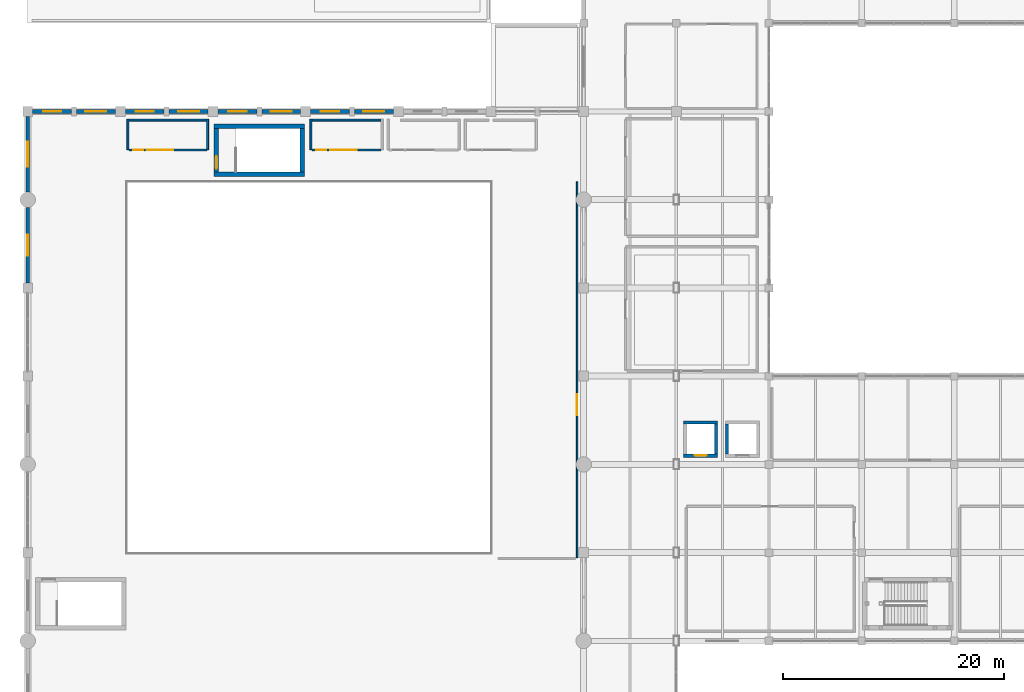
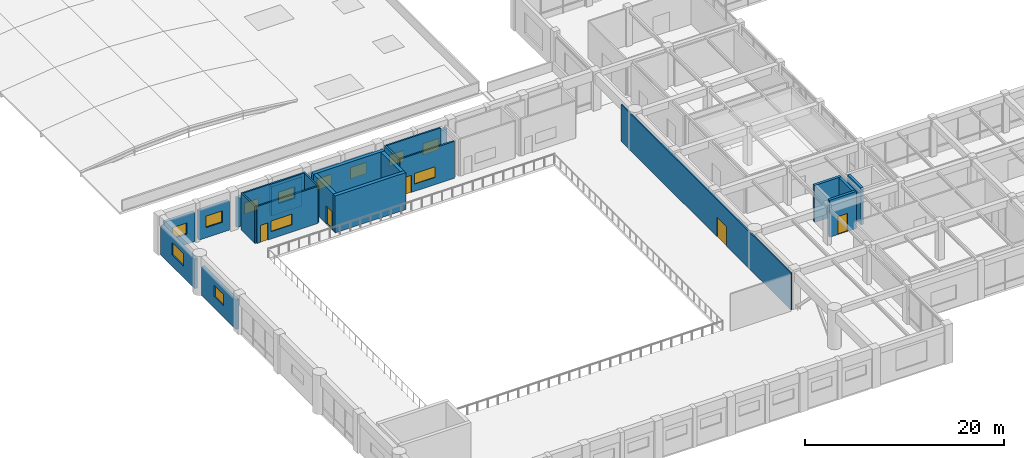
# One storey, part 50 of 76: 26 walls, 12 windows, 5 doors, 17 openings.
"""IFC4 building model written with IfcOpenShell, lengths in metres."""

from ifc_helpers import new_model, si_unit, direction, frame, frame_2d, origin, place, context, subcontext, project, spatial, rectangle, extrude, material, layer, layer_set, type_object, element, fill, save


model = new_model("IFC4")

# Units and contexts
model_context = context("Model", 3, precision=1e-05, world=origin(), true_north=direction((0.0, 1.0)))
body_context = subcontext(model_context, "Body", "Model", "MODEL_VIEW")
ifc_project = project(units=[si_unit("LENGTHUNIT", "METRE"), si_unit("AREAUNIT", "SQUARE_METRE"), si_unit("VOLUMEUNIT", "CUBIC_METRE"), si_unit("PLANEANGLEUNIT", "RADIAN"), si_unit("MASSUNIT", "GRAM", prefix="KILO")], contexts=[model_context])

# Site, building, storey
site_placement = place(None, origin())
site = spatial("IfcSite", under=ifc_project, at=site_placement, CompositionType="ELEMENT")
building_placement = place(site_placement, origin())
building = spatial("IfcBuilding", under=site, at=building_placement, Name="Naruveol Harbour Congress Hotel", CompositionType="ELEMENT")
storey_placement = place(building_placement, frame((0.0, 0.0, 11.39990234375)))
storey = spatial("IfcBuildingStorey", under=building, at=storey_placement, Name="L02", CompositionType="ELEMENT", Elevation=11.39990234375)

# Wall, opening, window
ifc_material_1 = material(Name="Concrete C40/50", Category="concrete")
ifc_layer_1 = layer(ifc_material_1, 0.340087890625)
ifc_layer_set_1 = layer_set([ifc_layer_1], Name="Concrete C40/50")
wall_type_1 = type_object("IfcWallType", Name="ACOUSTIC CONGRESS ENVELOPE WALL 340", PredefinedType="SOLIDWALL", material=ifc_layer_set_1)
wall_1_placement = place(storey_placement, frame((0.0, 40.449951171875, 0.0), z_axis=(0.0, 0.0, 1.0), x_axis=(0.0, 1.0, 0.0)))
wall_1 = element("IfcWall", 1, at=wall_1_placement, inside=storey, type_object=wall_type_1, Name="Congress west quay facade EW-340", PredefinedType="SOLIDWALL", context=body_context, shape_type="SweptSolid", body=[
    extrude(rectangle(XDim=6.85009765625, YDim=0.340087890625, at=frame_2d((3.425048828125, 0.0))), origin(), (0.0, 0.0, 1.0), 3.60009765625),
])
opening_1_placement = place(wall_1_placement, frame((2.47509765625, 0.0, 1.39990234375)))
opening_1 = element("IfcOpeningElement", 2, at=opening_1_placement, cuts=wall_1, Name="Opening W-20", PredefinedType="OPENING", context=body_context, shape_type="SweptSolid", body=[
    extrude(rectangle(XDim=1.89990234375, YDim=1.39990234375, at=frame_2d((0.949951171875, 0.699951171875))), frame((0.0, 0.179931640625, 0.0), z_axis=(0.0, -1.0, 0.0), x_axis=(1.0, 0.0, 0.0)), (0.0, 0.0, 1.0), 0.360107421875),
])
ifc_material_2 = material(Name="Low-E Triple Glazing in Thermal Aluminium", Category="aluminium")
window_type_1 = type_object("IfcWindowType", Name="PRESS BRIEFING WINDOW 1900X1400", PartitioningType="DOUBLE_PANEL_VERTICAL", PredefinedType="WINDOW", material=ifc_material_2)
window_1_placement = place(opening_1_placement, origin())
window_1 = element("IfcWindow", 3, at=window_1_placement, inside=storey, type_object=window_type_1, Name="Window W-20 #71", OverallHeight=1.39990234375, OverallWidth=1.89990234375, PartitioningType="DOUBLE_PANEL_VERTICAL", PredefinedType="WINDOW", context=body_context, shape_type="SweptSolid", body=[
    extrude(rectangle(XDim=1.89990234375, YDim=1.39990234375, at=frame_2d((0.949951171875, 0.699951171875))), frame((0.0, 0.030029296875, 0.0), z_axis=(0.0, -1.0, 0.0), x_axis=(1.0, 0.0, 0.0)), (0.0, 0.0, 1.0), 0.06005859375),
])
fill(opening_1, window_1)

wall_2_placement = place(storey_placement, frame((0.0, 48.699951171875, 0.0), z_axis=(0.0, 0.0, 1.0), x_axis=(0.0, 1.0, 0.0)))
wall_2 = element("IfcWall", 4, at=wall_2_placement, inside=storey, type_object=wall_type_1, Name="Congress west quay facade EW-340", PredefinedType="SOLIDWALL", context=body_context, shape_type="SweptSolid", body=[
    extrude(rectangle(XDim=6.85009765625, YDim=0.340087890625, at=frame_2d((3.425048828125, 0.0))), origin(), (0.0, 0.0, 1.0), 3.60009765625),
])
opening_2_placement = place(wall_2_placement, frame((2.27490234375, 0.0, 1.39990234375)))
opening_2 = element("IfcOpeningElement", 5, at=opening_2_placement, cuts=wall_2, Name="Opening W-21", PredefinedType="OPENING", context=body_context, shape_type="SweptSolid", body=[
    extrude(rectangle(XDim=2.300048828125, YDim=1.5, at=frame_2d((1.14990234375, 0.75))), frame((0.0, 0.179931640625, 0.0), z_axis=(0.0, -1.0, 0.0), x_axis=(1.0, 0.0, 0.0)), (0.0, 0.0, 1.0), 0.360107421875),
])
ifc_material_3 = material(Name="Low-E Triple Glazing in Thermal Aluminium", Category="aluminium")
window_type_2 = type_object("IfcWindowType", Name="COURTYARD GALLERY WINDOW 2300X1500", PartitioningType="DOUBLE_PANEL_VERTICAL", PredefinedType="WINDOW", material=ifc_material_3)
window_2_placement = place(opening_2_placement, origin())
window_2 = element("IfcWindow", 6, at=window_2_placement, inside=storey, type_object=window_type_2, Name="Window W-21 #72", OverallHeight=1.5, OverallWidth=2.300048828125, PartitioningType="DOUBLE_PANEL_VERTICAL", PredefinedType="WINDOW", context=body_context, shape_type="SweptSolid", body=[
    extrude(rectangle(XDim=2.300048828125, YDim=1.5, at=frame_2d((1.14990234375, 0.75))), frame((0.0, 0.030029296875, 0.0), z_axis=(0.0, -1.0, 0.0), x_axis=(1.0, 0.0, 0.0)), (0.0, 0.0, 1.0), 0.06005859375),
])
fill(opening_2, window_2)

wall_3_placement = place(storey_placement, frame((0.449951171875, 56.0, 0.0), z_axis=(0.0, 0.0, 1.0), x_axis=(1.0, 0.0, 0.0)))
wall_3 = element("IfcWall", 7, at=wall_3_placement, inside=storey, type_object=wall_type_1, Name="Congress north facade EW-340", PredefinedType="SOLIDWALL", context=body_context, shape_type="SweptSolid", body=[
    extrude(rectangle(XDim=3.525146484375, YDim=0.340087890625, at=frame_2d((1.7626953125, 0.0))), origin(), (0.0, 0.0, 1.0), 3.60009765625),
])
opening_3_placement = place(wall_3_placement, frame((0.93798828125, 0.0, 1.25)))
opening_3 = element("IfcOpeningElement", 8, at=opening_3_placement, cuts=wall_3, Name="Opening W-34", PredefinedType="OPENING", context=body_context, shape_type="SweptSolid", body=[
    extrude(rectangle(XDim=1.64990234375, YDim=1.35009765625, at=frame_2d((0.824951171875, 0.675048828125))), frame((0.0, 0.179931640625, 0.0), z_axis=(0.0, -1.0, 0.0), x_axis=(1.0, 0.0, 0.0)), (0.0, 0.0, 1.0), 0.360107421875),
])
ifc_material_4 = material(Name="Low-E Triple Glazing in Thermal Aluminium", Category="aluminium")
window_type_3 = type_object("IfcWindowType", Name="CONCOURSE NORTH BAY WINDOW 1650X1350", PartitioningType="SINGLE_PANEL", PredefinedType="WINDOW", material=ifc_material_4)
window_3_placement = place(opening_3_placement, origin())
window_3 = element("IfcWindow", 9, at=window_3_placement, inside=storey, type_object=window_type_3, Name="Window W-34 #73", OverallHeight=1.35009765625, OverallWidth=1.64990234375, PartitioningType="SINGLE_PANEL", PredefinedType="WINDOW", context=body_context, shape_type="SweptSolid", body=[
    extrude(rectangle(XDim=1.64990234375, YDim=1.35009765625, at=frame_2d((0.824951171875, 0.675048828125))), frame((0.0, 0.030029296875, 0.0), z_axis=(0.0, -1.0, 0.0), x_axis=(1.0, 0.0, 0.0)), (0.0, 0.0, 1.0), 0.06005859375),
])
fill(opening_3, window_3)

wall_4_placement = place(storey_placement, frame((4.425048828125, 56.0, 0.0), z_axis=(0.0, 0.0, 1.0), x_axis=(1.0, 0.0, 0.0)))
wall_4 = element("IfcWall", 10, at=wall_4_placement, inside=storey, type_object=wall_type_1, Name="Congress north facade EW-340", PredefinedType="SOLIDWALL", context=body_context, shape_type="SweptSolid", body=[
    extrude(rectangle(XDim=3.52490234375, YDim=0.340087890625, at=frame_2d((1.762451171875, 0.0))), origin(), (0.0, 0.0, 1.0), 3.60009765625),
])
opening_4_placement = place(wall_4_placement, frame((0.81298828125, 0.0, 1.25)))
opening_4 = element("IfcOpeningElement", 11, at=opening_4_placement, cuts=wall_4, Name="Opening W-20", PredefinedType="OPENING", context=body_context, shape_type="SweptSolid", body=[
    extrude(rectangle(XDim=1.89990234375, YDim=1.39990234375, at=frame_2d((0.949951171875, 0.699951171875))), frame((0.0, 0.179931640625, 0.0), z_axis=(0.0, -1.0, 0.0), x_axis=(1.0, 0.0, 0.0)), (0.0, 0.0, 1.0), 0.360107421875),
])
window_4_placement = place(opening_4_placement, origin())
window_4 = element("IfcWindow", 12, at=window_4_placement, inside=storey, type_object=window_type_1, Name="Window W-20 #74", OverallHeight=1.39990234375, OverallWidth=1.89990234375, PartitioningType="DOUBLE_PANEL_VERTICAL", PredefinedType="WINDOW", context=body_context, shape_type="SweptSolid", body=[
    extrude(rectangle(XDim=1.89990234375, YDim=1.39990234375, at=frame_2d((0.949951171875, 0.699951171875))), frame((0.0, 0.030029296875, 0.0), z_axis=(0.0, -1.0, 0.0), x_axis=(1.0, 0.0, 0.0)), (0.0, 0.0, 1.0), 0.06005859375),
])
fill(opening_4, window_4)

wall_5_placement = place(storey_placement, frame((8.85009765625, 56.0, 0.0), z_axis=(0.0, 0.0, 1.0), x_axis=(1.0, 0.0, 0.0)))
wall_5 = element("IfcWall", 13, at=wall_5_placement, inside=storey, type_object=wall_type_1, Name="Congress north facade EW-340", PredefinedType="SOLIDWALL", context=body_context, shape_type="SweptSolid", body=[
    extrude(rectangle(XDim=3.52490234375, YDim=0.340087890625, at=frame_2d((1.762451171875, 0.0))), origin(), (0.0, 0.0, 1.0), 3.60009765625),
])
opening_5_placement = place(wall_5_placement, frame((0.93798828125, 0.0, 1.25)))
opening_5 = element("IfcOpeningElement", 14, at=opening_5_placement, cuts=wall_5, Name="Opening W-34", PredefinedType="OPENING", context=body_context, shape_type="SweptSolid", body=[
    extrude(rectangle(XDim=1.64990234375, YDim=1.35009765625, at=frame_2d((0.824951171875, 0.675048828125))), frame((0.0, 0.179931640625, 0.0), z_axis=(0.0, -1.0, 0.0), x_axis=(1.0, 0.0, 0.0)), (0.0, 0.0, 1.0), 0.360107421875),
])
window_5_placement = place(opening_5_placement, origin())
window_5 = element("IfcWindow", 15, at=window_5_placement, inside=storey, type_object=window_type_3, Name="Window W-34 #75", OverallHeight=1.35009765625, OverallWidth=1.64990234375, PartitioningType="SINGLE_PANEL", PredefinedType="WINDOW", context=body_context, shape_type="SweptSolid", body=[
    extrude(rectangle(XDim=1.64990234375, YDim=1.35009765625, at=frame_2d((0.824951171875, 0.675048828125))), frame((0.0, 0.030029296875, 0.0), z_axis=(0.0, -1.0, 0.0), x_axis=(1.0, 0.0, 0.0)), (0.0, 0.0, 1.0), 0.06005859375),
])
fill(opening_5, window_5)

wall_6_placement = place(storey_placement, frame((12.824951171875, 56.0, 0.0), z_axis=(0.0, 0.0, 1.0), x_axis=(1.0, 0.0, 0.0)))
wall_6 = element("IfcWall", 16, at=wall_6_placement, inside=storey, type_object=wall_type_1, Name="Congress north facade EW-340", PredefinedType="SOLIDWALL", context=body_context, shape_type="SweptSolid", body=[
    extrude(rectangle(XDim=3.525146484375, YDim=0.340087890625, at=frame_2d((1.7626953125, 0.0))), origin(), (0.0, 0.0, 1.0), 3.60009765625),
])
opening_6_placement = place(wall_6_placement, frame((0.81298828125, 0.0, 1.25)))
opening_6 = element("IfcOpeningElement", 17, at=opening_6_placement, cuts=wall_6, Name="Opening W-20", PredefinedType="OPENING", context=body_context, shape_type="SweptSolid", body=[
    extrude(rectangle(XDim=1.89990234375, YDim=1.39990234375, at=frame_2d((0.949951171875, 0.699951171875))), frame((0.0, 0.179931640625, 0.0), z_axis=(0.0, -1.0, 0.0), x_axis=(1.0, 0.0, 0.0)), (0.0, 0.0, 1.0), 0.360107421875),
])
window_6_placement = place(opening_6_placement, origin())
window_6 = element("IfcWindow", 18, at=window_6_placement, inside=storey, type_object=window_type_1, Name="Window W-20 #76", OverallHeight=1.39990234375, OverallWidth=1.89990234375, PartitioningType="DOUBLE_PANEL_VERTICAL", PredefinedType="WINDOW", context=body_context, shape_type="SweptSolid", body=[
    extrude(rectangle(XDim=1.89990234375, YDim=1.39990234375, at=frame_2d((0.949951171875, 0.699951171875))), frame((0.0, 0.030029296875, 0.0), z_axis=(0.0, -1.0, 0.0), x_axis=(1.0, 0.0, 0.0)), (0.0, 0.0, 1.0), 0.06005859375),
])
fill(opening_6, window_6)

wall_7_placement = place(storey_placement, frame((17.25, 56.0, 0.0), z_axis=(0.0, 0.0, 1.0), x_axis=(1.0, 0.0, 0.0)))
wall_7 = element("IfcWall", 19, at=wall_7_placement, inside=storey, type_object=wall_type_1, Name="Congress north facade EW-340", PredefinedType="SOLIDWALL", context=body_context, shape_type="SweptSolid", body=[
    extrude(rectangle(XDim=3.52490234375, YDim=0.340087890625, at=frame_2d((1.762451171875, 0.0))), origin(), (0.0, 0.0, 1.0), 3.60009765625),
])
opening_7_placement = place(wall_7_placement, frame((0.93701171875, 0.0, 1.25)))
opening_7 = element("IfcOpeningElement", 20, at=opening_7_placement, cuts=wall_7, Name="Opening W-34", PredefinedType="OPENING", context=body_context, shape_type="SweptSolid", body=[
    extrude(rectangle(XDim=1.64990234375, YDim=1.35009765625, at=frame_2d((0.824951171875, 0.675048828125))), frame((0.0, 0.179931640625, 0.0), z_axis=(0.0, -1.0, 0.0), x_axis=(1.0, 0.0, 0.0)), (0.0, 0.0, 1.0), 0.360107421875),
])
window_7_placement = place(opening_7_placement, origin())
window_7 = element("IfcWindow", 21, at=window_7_placement, inside=storey, type_object=window_type_3, Name="Window W-34 #77", OverallHeight=1.35009765625, OverallWidth=1.64990234375, PartitioningType="SINGLE_PANEL", PredefinedType="WINDOW", context=body_context, shape_type="SweptSolid", body=[
    extrude(rectangle(XDim=1.64990234375, YDim=1.35009765625, at=frame_2d((0.824951171875, 0.675048828125))), frame((0.0, 0.030029296875, 0.0), z_axis=(0.0, -1.0, 0.0), x_axis=(1.0, 0.0, 0.0)), (0.0, 0.0, 1.0), 0.06005859375),
])
fill(opening_7, window_7)

wall_8_placement = place(storey_placement, frame((21.22509765625, 56.0, 0.0), z_axis=(0.0, 0.0, 1.0), x_axis=(1.0, 0.0, 0.0)))
wall_8 = element("IfcWall", 22, at=wall_8_placement, inside=storey, type_object=wall_type_1, Name="Congress north facade EW-340", PredefinedType="SOLIDWALL", context=body_context, shape_type="SweptSolid", body=[
    extrude(rectangle(XDim=3.52490234375, YDim=0.340087890625, at=frame_2d((1.762451171875, 0.0))), origin(), (0.0, 0.0, 1.0), 3.60009765625),
])
opening_8_placement = place(wall_8_placement, frame((0.81201171875, 0.0, 1.25)))
opening_8 = element("IfcOpeningElement", 23, at=opening_8_placement, cuts=wall_8, Name="Opening W-20", PredefinedType="OPENING", context=body_context, shape_type="SweptSolid", body=[
    extrude(rectangle(XDim=1.89990234375, YDim=1.39990234375, at=frame_2d((0.949951171875, 0.699951171875))), frame((0.0, 0.179931640625, 0.0), z_axis=(0.0, -1.0, 0.0), x_axis=(1.0, 0.0, 0.0)), (0.0, 0.0, 1.0), 0.360107421875),
])
window_8_placement = place(opening_8_placement, origin())
window_8 = element("IfcWindow", 24, at=window_8_placement, inside=storey, type_object=window_type_1, Name="Window W-20 #78", OverallHeight=1.39990234375, OverallWidth=1.89990234375, PartitioningType="DOUBLE_PANEL_VERTICAL", PredefinedType="WINDOW", context=body_context, shape_type="SweptSolid", body=[
    extrude(rectangle(XDim=1.89990234375, YDim=1.39990234375, at=frame_2d((0.949951171875, 0.699951171875))), frame((0.0, 0.030029296875, 0.0), z_axis=(0.0, -1.0, 0.0), x_axis=(1.0, 0.0, 0.0)), (0.0, 0.0, 1.0), 0.06005859375),
])
fill(opening_8, window_8)

wall_9_placement = place(storey_placement, frame((25.64990234375, 56.0, 0.0), z_axis=(0.0, 0.0, 1.0), x_axis=(1.0, 0.0, 0.0)))
wall_9 = element("IfcWall", 25, at=wall_9_placement, inside=storey, type_object=wall_type_1, Name="Congress north facade EW-340", PredefinedType="SOLIDWALL", context=body_context, shape_type="SweptSolid", body=[
    extrude(rectangle(XDim=3.525146484375, YDim=0.340087890625, at=frame_2d((1.7626953125, 0.0))), origin(), (0.0, 0.0, 1.0), 3.60009765625),
])
opening_9_placement = place(wall_9_placement, frame((0.93798828125, 0.0, 1.25)))
opening_9 = element("IfcOpeningElement", 26, at=opening_9_placement, cuts=wall_9, Name="Opening W-34", PredefinedType="OPENING", context=body_context, shape_type="SweptSolid", body=[
    extrude(rectangle(XDim=1.64990234375, YDim=1.35009765625, at=frame_2d((0.824951171875, 0.675048828125))), frame((0.0, 0.179931640625, 0.0), z_axis=(0.0, -1.0, 0.0), x_axis=(1.0, 0.0, 0.0)), (0.0, 0.0, 1.0), 0.360107421875),
])
window_9_placement = place(opening_9_placement, origin())
window_9 = element("IfcWindow", 27, at=window_9_placement, inside=storey, type_object=window_type_3, Name="Window W-34 #79", OverallHeight=1.35009765625, OverallWidth=1.64990234375, PartitioningType="SINGLE_PANEL", PredefinedType="WINDOW", context=body_context, shape_type="SweptSolid", body=[
    extrude(rectangle(XDim=1.64990234375, YDim=1.35009765625, at=frame_2d((0.824951171875, 0.675048828125))), frame((0.0, 0.030029296875, 0.0), z_axis=(0.0, -1.0, 0.0), x_axis=(1.0, 0.0, 0.0)), (0.0, 0.0, 1.0), 0.06005859375),
])
fill(opening_9, window_9)

wall_10_placement = place(storey_placement, frame((29.625, 56.0, 0.0), z_axis=(0.0, 0.0, 1.0), x_axis=(1.0, 0.0, 0.0)))
wall_10 = element("IfcWall", 28, at=wall_10_placement, inside=storey, type_object=wall_type_1, Name="Congress north facade EW-340", PredefinedType="SOLIDWALL", context=body_context, shape_type="SweptSolid", body=[
    extrude(rectangle(XDim=3.52490234375, YDim=0.340087890625, at=frame_2d((1.762451171875, 0.0))), origin(), (0.0, 0.0, 1.0), 3.60009765625),
])
opening_10_placement = place(wall_10_placement, frame((0.81201171875, 0.0, 1.25)))
opening_10 = element("IfcOpeningElement", 29, at=opening_10_placement, cuts=wall_10, Name="Opening W-20", PredefinedType="OPENING", context=body_context, shape_type="SweptSolid", body=[
    extrude(rectangle(XDim=1.89990234375, YDim=1.39990234375, at=frame_2d((0.949951171875, 0.699951171875))), frame((0.0, 0.179931640625, 0.0), z_axis=(0.0, -1.0, 0.0), x_axis=(1.0, 0.0, 0.0)), (0.0, 0.0, 1.0), 0.360107421875),
])
window_10_placement = place(opening_10_placement, origin())
window_10 = element("IfcWindow", 30, at=window_10_placement, inside=storey, type_object=window_type_1, Name="Window W-20 #80", OverallHeight=1.39990234375, OverallWidth=1.89990234375, PartitioningType="DOUBLE_PANEL_VERTICAL", PredefinedType="WINDOW", context=body_context, shape_type="SweptSolid", body=[
    extrude(rectangle(XDim=1.89990234375, YDim=1.39990234375, at=frame_2d((0.949951171875, 0.699951171875))), frame((0.0, 0.030029296875, 0.0), z_axis=(0.0, -1.0, 0.0), x_axis=(1.0, 0.0, 0.0)), (0.0, 0.0, 1.0), 0.06005859375),
])
fill(opening_10, window_10)

# Wall, openings, door, window
ifc_material_5 = material(Name="Autoclaved Aerated Concrete Block", Category="concrete")
ifc_layer_2 = layer(ifc_material_5, 0.179931640625)
ifc_layer_set_2 = layer_set([ifc_layer_2], Name="Autoclaved Aerated Concrete Block")
wall_type_2 = type_object("IfcWallType", Name="ACOUSTIC HALL PARTITION WALL 180 EI60", PredefinedType="PARTITIONING", material=ifc_layer_set_2)
wall_11_placement = place(storey_placement, frame((9.159912109375, 52.5, 0.0), z_axis=(0.0, 0.0, 1.0), x_axis=(1.0, 0.0, 0.0)))
wall_11 = element("IfcWall", 31, at=wall_11_placement, inside=storey, type_object=wall_type_2, Name="Simultaneous Interpreting Booth 1 south entry wall PW-180", PredefinedType="PARTITIONING", context=body_context, shape_type="SweptSolid", body=[
    extrude(rectangle(XDim=7.080078125, YDim=0.179931640625, at=frame_2d((3.5400390625, 0.0))), origin(), (0.0, 0.0, 1.0), 4.53515625),
])
opening_11_placement = place(wall_11_placement, frame((0.39990234375, 0.0, 0.0)))
opening_11 = element("IfcOpeningElement", 32, at=opening_11_placement, cuts=wall_11, Name="Opening ID-IB59", PredefinedType="OPENING", context=body_context, shape_type="SweptSolid", body=[
    extrude(rectangle(XDim=0.89990234375, YDim=2.10009765625, at=frame_2d((0.449951171875, 1.050048828125))), frame((0.0, 0.099853515625, 0.0), z_axis=(0.0, -1.0, 0.0), x_axis=(1.0, 0.0, 0.0)), (0.0, 0.0, 1.0), 0.199951171875),
])
opening_12_placement = place(wall_11_placement, frame((1.64990234375, 0.0, 0.89990234375)))
opening_12 = element("IfcOpeningElement", 33, at=opening_12_placement, cuts=wall_11, Name="Opening W-31", PredefinedType="OPENING", context=body_context, shape_type="SweptSolid", body=[
    extrude(rectangle(XDim=2.39990234375, YDim=1.300048828125, at=frame_2d((1.199951171875, 0.64990234375))), frame((0.0, 0.099853515625, 0.0), z_axis=(0.0, -1.0, 0.0), x_axis=(1.0, 0.0, 0.0)), (0.0, 0.0, 1.0), 0.199951171875),
])
ifc_material_6 = material(Name="Timber & Steel Acoustic Leaf", Category="steel")
door_type_1 = type_object("IfcDoorType", Name="INTERPRETING BOOTH ACOUSTIC DOOR 900X2100", OperationType="NOTDEFINED", PredefinedType="DOOR", material=ifc_material_6)
door_1_placement = place(opening_11_placement, origin())
door_1 = element("IfcDoor", 34, at=door_1_placement, inside=storey, type_object=door_type_1, Name="Simultaneous Interpreting Booth 1 Acoustic Door", OperationType="SINGLE_SWING_LEFT", OverallHeight=2.10009765625, OverallWidth=0.89990234375, PredefinedType="DOOR", context=body_context, shape_type="SweptSolid", body=[
    extrude(rectangle(XDim=0.89990234375, YDim=2.10009765625, at=frame_2d((0.449951171875, 1.050048828125))), frame((0.0, 0.02490234375, 0.0), z_axis=(0.0, -1.0, 0.0), x_axis=(1.0, 0.0, 0.0)), (0.0, 0.0, 1.0), 0.050048828125),
])
fill(opening_11, door_1)
ifc_material_7 = material(Name="Low-E Triple Glazing in Thermal Aluminium", Category="aluminium")
window_type_4 = type_object("IfcWindowType", Name="ISO 2603 INTERPRETING BOOTH GLASS 2400X1300", PartitioningType="DOUBLE_PANEL_VERTICAL", PredefinedType="WINDOW", material=ifc_material_7)
window_11_placement = place(opening_12_placement, origin())
window_11 = element("IfcWindow", 35, at=window_11_placement, inside=storey, type_object=window_type_4, Name="Simultaneous Interpreting Booth 1 Observation Window", OverallHeight=1.300048828125, OverallWidth=2.39990234375, PartitioningType="DOUBLE_PANEL_VERTICAL", PredefinedType="WINDOW", context=body_context, shape_type="SweptSolid", body=[
    extrude(rectangle(XDim=2.39990234375, YDim=1.300048828125, at=frame_2d((1.199951171875, 0.64990234375))), frame((0.0, 0.030029296875, 0.0), z_axis=(0.0, -1.0, 0.0), x_axis=(1.0, 0.0, 0.0)), (0.0, 0.0, 1.0), 0.06005859375),
])
fill(opening_12, window_11)

wall_12_placement = place(storey_placement, frame((25.760009765625, 52.5, 0.0), z_axis=(0.0, 0.0, 1.0), x_axis=(1.0, 0.0, 0.0)))
wall_12 = element("IfcWall", 36, at=wall_12_placement, inside=storey, type_object=wall_type_2, Name="Simultaneous Interpreting Booth 2 south entry wall PW-180", PredefinedType="PARTITIONING", context=body_context, shape_type="SweptSolid", body=[
    extrude(rectangle(XDim=6.280029296875, YDim=0.179931640625, at=frame_2d((3.14013671875, 0.0))), origin(), (0.0, 0.0, 1.0), 4.53515625),
])
opening_13_placement = place(wall_12_placement, frame((0.39990234375, 0.0, 0.0)))
opening_13 = element("IfcOpeningElement", 37, at=opening_13_placement, cuts=wall_12, Name="Opening ID-IB60", PredefinedType="OPENING", context=body_context, shape_type="SweptSolid", body=[
    extrude(rectangle(XDim=0.89990234375, YDim=2.10009765625, at=frame_2d((0.449951171875, 1.050048828125))), frame((0.0, 0.099853515625, 0.0), z_axis=(0.0, -1.0, 0.0), x_axis=(1.0, 0.0, 0.0)), (0.0, 0.0, 1.0), 0.199951171875),
])
opening_14_placement = place(wall_12_placement, frame((1.64990234375, 0.0, 0.89990234375)))
opening_14 = element("IfcOpeningElement", 38, at=opening_14_placement, cuts=wall_12, Name="Opening W-31", PredefinedType="OPENING", context=body_context, shape_type="SweptSolid", body=[
    extrude(rectangle(XDim=2.39990234375, YDim=1.300048828125, at=frame_2d((1.199951171875, 0.64990234375))), frame((0.0, 0.099853515625, 0.0), z_axis=(0.0, -1.0, 0.0), x_axis=(1.0, 0.0, 0.0)), (0.0, 0.0, 1.0), 0.199951171875),
])
door_2_placement = place(opening_13_placement, origin())
door_2 = element("IfcDoor", 39, at=door_2_placement, inside=storey, type_object=door_type_1, Name="Simultaneous Interpreting Booth 2 Acoustic Door", OperationType="SINGLE_SWING_RIGHT", OverallHeight=2.10009765625, OverallWidth=0.89990234375, PredefinedType="DOOR", context=body_context, shape_type="SweptSolid", body=[
    extrude(rectangle(XDim=0.89990234375, YDim=2.10009765625, at=frame_2d((0.449951171875, 1.050048828125))), frame((0.0, 0.02490234375, 0.0), z_axis=(0.0, -1.0, 0.0), x_axis=(1.0, 0.0, 0.0)), (0.0, 0.0, 1.0), 0.050048828125),
])
fill(opening_13, door_2)
window_12_placement = place(opening_14_placement, origin())
window_12 = element("IfcWindow", 40, at=window_12_placement, inside=storey, type_object=window_type_4, Name="Simultaneous Interpreting Booth 2 Observation Window", OverallHeight=1.300048828125, OverallWidth=2.39990234375, PartitioningType="DOUBLE_PANEL_VERTICAL", PredefinedType="WINDOW", context=body_context, shape_type="SweptSolid", body=[
    extrude(rectangle(XDim=2.39990234375, YDim=1.300048828125, at=frame_2d((1.199951171875, 0.64990234375))), frame((0.0, 0.030029296875, 0.0), z_axis=(0.0, -1.0, 0.0), x_axis=(1.0, 0.0, 0.0)), (0.0, 0.0, 1.0), 0.06005859375),
])
fill(opening_14, window_12)

# Walls
for number, where, z_axis, x_axis, name in (
    (41, (9.080078125, 52.531982421875, 0.0), (0.0, 0.0, 1.0), (0.0, 1.0, 0.0), "Simultaneous Interpreting Booth 1 west enclosure partition PW-180"),
    (42, (16.320068359375, 52.531982421875, 0.0), (0.0, 0.0, 1.0), (0.0, 1.0, 0.0), "Simultaneous Interpreting Booth 1 east enclosure partition PW-180"),
):
    element("IfcWall", number, at=place(storey_placement, frame(where, z_axis=z_axis, x_axis=x_axis)), inside=storey, type_object=wall_type_2, Name=name, PredefinedType="PARTITIONING", context=body_context, shape_type="SweptSolid", body=[
        extrude(rectangle(XDim=2.76806640625, YDim=0.179931640625, at=frame_2d((1.384033203125, 0.0))), origin(), (0.0, 0.0, 1.0), 4.53515625),
    ])
wall_13_placement = place(storey_placement, frame((9.169921875, 55.219970703125, 0.0), z_axis=(0.0, 0.0, 1.0), x_axis=(1.0, 0.0, 0.0)))
element("IfcWall", 43, at=wall_13_placement, inside=storey, type_object=wall_type_2, Name="Simultaneous Interpreting Booth 1 north enclosure partition PW-180", PredefinedType="PARTITIONING", context=body_context, shape_type="SweptSolid", body=[
    extrude(rectangle(XDim=7.06005859375, YDim=0.179931640625, at=frame_2d((3.530029296875, 0.0))), origin(), (0.0, 0.0, 1.0), 4.53515625),
])
wall_14_placement = place(storey_placement, frame((25.679931640625, 52.531982421875, 0.0), z_axis=(0.0, 0.0, 1.0), x_axis=(0.0, 1.0, 0.0)))
element("IfcWall", 44, at=wall_14_placement, inside=storey, type_object=wall_type_2, Name="Simultaneous Interpreting Booth 2 west enclosure partition PW-180", PredefinedType="PARTITIONING", context=body_context, shape_type="SweptSolid", body=[
    extrude(rectangle(XDim=2.76806640625, YDim=0.179931640625, at=frame_2d((1.384033203125, 0.0))), origin(), (0.0, 0.0, 1.0), 4.53515625),
])
wall_15_placement = place(storey_placement, frame((25.77001953125, 55.219970703125, 0.0), z_axis=(0.0, 0.0, 1.0), x_axis=(1.0, 0.0, 0.0)))
element("IfcWall", 45, at=wall_15_placement, inside=storey, type_object=wall_type_2, Name="Simultaneous Interpreting Booth 2 north enclosure partition PW-180", PredefinedType="PARTITIONING", context=body_context, shape_type="SweptSolid", body=[
    extrude(rectangle(XDim=6.260009765625, YDim=0.179931640625, at=frame_2d((3.1298828125, 0.0))), origin(), (0.0, 0.0, 1.0), 4.53515625),
])

# Wall, opening, door
ifc_material_8 = material(Name="Acoustic Double Stud Gypsum", Category="gypsum")
ifc_layer_3 = layer(ifc_material_8, 0.139892578125)
ifc_layer_set_3 = layer_set([ifc_layer_3], Name="Acoustic Double Stud Gypsum")
wall_type_3 = type_object("IfcWallType", Name="ACOUSTIC MEETING PARTITION WALL 140", PredefinedType="PARTITIONING", material=ifc_layer_set_3)
wall_16_placement = place(storey_placement, frame((49.800048828125, 15.56005859375, 0.0), z_axis=(0.0, 0.0, 1.0), x_axis=(0.0, 1.0, 0.0)))
wall_16 = element("IfcWall", 46, at=wall_16_placement, inside=storey, type_object=wall_type_3, Name="Congress East Delegate Lounge east entry wall PW-140", PredefinedType="PARTITIONING", context=body_context, shape_type="SweptSolid", body=[
    extrude(rectangle(XDim=34.079833984375, YDim=0.139892578125, at=frame_2d((17.0400390625, 0.0))), origin(), (0.0, 0.0, 1.0), 4.53515625),
])
opening_15_placement = place(wall_16_placement, frame((12.919921875, 0.0, 0.0)))
opening_15 = element("IfcOpeningElement", 47, at=opening_15_placement, cuts=wall_16, Name="Opening ID-LG-58", PredefinedType="OPENING", context=body_context, shape_type="SweptSolid", body=[
    extrude(rectangle(XDim=1.89990234375, YDim=2.39990234375, at=frame_2d((0.949951171875, 1.199951171875))), frame((0.0, 0.079833984375, 0.0), z_axis=(0.0, -1.0, 0.0), x_axis=(1.0, 0.0, 0.0)), (0.0, 0.0, 1.0), 0.159912109375),
])
ifc_material_9 = material(Name="Timber & Steel Acoustic Leaf", Category="steel")
door_type_2 = type_object("IfcDoorType", Name="RESTAURANT AND LOUNGE GLAZED DOOR 1900X2400", OperationType="DOUBLE_DOOR_SINGLE_SWING", PredefinedType="DOOR", material=ifc_material_9)
door_3_placement = place(opening_15_placement, origin())
door_3 = element("IfcDoor", 48, at=door_3_placement, inside=storey, type_object=door_type_2, Name="Congress East Delegate Lounge Entrance Door", OperationType="DOUBLE_DOOR_SINGLE_SWING", OverallHeight=2.39990234375, OverallWidth=1.89990234375, PredefinedType="DOOR", context=body_context, shape_type="SweptSolid", body=[
    extrude(rectangle(XDim=1.89990234375, YDim=2.39990234375, at=frame_2d((0.949951171875, 1.199951171875))), frame((0.0, 0.02490234375, 0.0), z_axis=(0.0, -1.0, 0.0), x_axis=(1.0, 0.0, 0.0)), (0.0, 0.0, 1.0), 0.050048828125),
])
fill(opening_15, door_3)

# Walls
ifc_material_10 = material(Name="Concrete C50/60", Category="concrete")
ifc_layer_4 = layer(ifc_material_10, 0.39990234375)
ifc_layer_set_4 = layer_set([ifc_layer_4], Name="Concrete C50/60")
wall_type_4 = type_object("IfcWallType", Name="RC CORE SHEAR WALL 400 EI120", PredefinedType="SHEAR", material=ifc_layer_set_4)
wall_17_placement = place(storey_placement, frame((16.89990234375, 50.300048828125, 0.0), z_axis=(0.0, 0.0, 1.0), x_axis=(1.0, 0.0, 0.0)))
element("IfcWall", 49, at=wall_17_placement, inside=storey, type_object=wall_type_4, Name="Stair ST6 south core wall CW-400", PredefinedType="SHEAR", context=body_context, shape_type="SweptSolid", body=[
    extrude(rectangle(XDim=8.2001953125, YDim=0.39990234375, at=frame_2d((4.10009765625, 0.0))), origin(), (0.0, 0.0, 1.0), 4.53515625),
])
wall_18_placement = place(storey_placement, frame((24.89990234375, 50.5048828125, 0.0), z_axis=(0.0, 0.0, 1.0), x_axis=(0.0, 1.0, 0.0)))
element("IfcWall", 50, at=wall_18_placement, inside=storey, type_object=wall_type_4, Name="Stair ST6 east core wall CW-400", PredefinedType="SHEAR", context=body_context, shape_type="SweptSolid", body=[
    extrude(rectangle(XDim=3.9501953125, YDim=0.39990234375, at=frame_2d((1.97509765625, 0.0))), origin(), (0.0, 0.0, 1.0), 4.53515625),
])
wall_19_placement = place(storey_placement, frame((16.89990234375, 54.659912109375, 0.0), z_axis=(0.0, 0.0, 1.0), x_axis=(1.0, 0.0, 0.0)))
element("IfcWall", 51, at=wall_19_placement, inside=storey, type_object=wall_type_4, Name="Stair ST6 north core wall CW-400", PredefinedType="SHEAR", context=body_context, shape_type="SweptSolid", body=[
    extrude(rectangle(XDim=8.2001953125, YDim=0.39990234375, at=frame_2d((4.10009765625, 0.0))), origin(), (0.0, 0.0, 1.0), 4.53515625),
])

# Wall, opening, door
wall_20_placement = place(storey_placement, frame((17.10009765625, 50.5048828125, 0.0), z_axis=(0.0, 0.0, 1.0), x_axis=(0.0, 1.0, 0.0)))
wall_20 = element("IfcWall", 52, at=wall_20_placement, inside=storey, type_object=wall_type_4, Name="Stair ST6 west core wall CW-400", PredefinedType="SHEAR", context=body_context, shape_type="SweptSolid", body=[
    extrude(rectangle(XDim=3.9501953125, YDim=0.39990234375, at=frame_2d((1.97509765625, 0.0))), origin(), (0.0, 0.0, 1.0), 4.53515625),
])
opening_16_placement = place(wall_20_placement, frame((0.280029296875, 0.0, 0.0)))
opening_16 = element("IfcOpeningElement", 53, at=opening_16_placement, cuts=wall_20, Name="Opening FD-ST6-L02", PredefinedType="OPENING", context=body_context, shape_type="SweptSolid", body=[
    extrude(rectangle(XDim=1.159912109375, YDim=2.199951171875, at=frame_2d((0.580078125, 1.10009765625))), frame((0.0, 0.2099609375, 0.0), z_axis=(0.0, -1.0, 0.0), x_axis=(1.0, 0.0, 0.0)), (0.0, 0.0, 1.0), 0.419921875),
])
ifc_material_11 = material(Name="Timber & Steel Acoustic Leaf", Category="steel")
door_type_3 = type_object("IfcDoorType", Name="SPECIAL ESCAPE STAIR FIRE DOOR 1160X2200", OperationType="NOTDEFINED", PredefinedType="DOOR", material=ifc_material_11)
door_4_placement = place(opening_16_placement, origin())
door_4 = element("IfcDoor", 54, at=door_4_placement, inside=storey, type_object=door_type_3, Name="Enclosed Exit Stair Door ST6 L02", OperationType="SINGLE_SWING_LEFT", OverallHeight=2.199951171875, OverallWidth=1.159912109375, PredefinedType="DOOR", context=body_context, shape_type="SweptSolid", body=[
    extrude(rectangle(XDim=1.159912109375, YDim=2.199951171875, at=frame_2d((0.580078125, 1.10009765625))), frame((0.0, 0.02490234375, 0.0), z_axis=(0.0, -1.0, 0.0), x_axis=(1.0, 0.0, 0.0)), (0.0, 0.0, 1.0), 0.050048828125),
])
fill(opening_16, door_4)

ifc_material_12 = material(Name="Concrete C50/60", Category="concrete")
ifc_layer_5 = layer(ifc_material_12, 0.300048828125)
ifc_layer_set_5 = layer_set([ifc_layer_5], Name="Concrete C50/60")
wall_type_5 = type_object("IfcWallType", Name="RC STAIR AND HOISTWAY SHEAR WALL 300 EI120", PredefinedType="SHEAR", material=ifc_layer_set_5)
wall_21_placement = place(storey_placement, frame((59.449951171875, 24.800048828125, 0.0), z_axis=(0.0, 0.0, 1.0), x_axis=(1.0, 0.0, 0.0)))
wall_21 = element("IfcWall", 55, at=wall_21_placement, inside=storey, type_object=wall_type_5, Name="Hoistway south shear wall CL1 SW-300", PredefinedType="SHEAR", context=body_context, shape_type="SweptSolid", body=[
    extrude(rectangle(XDim=3.10009765625, YDim=0.300048828125, at=frame_2d((1.550048828125, 0.0))), origin(), (0.0, 0.0, 1.0), 4.53515625),
])
opening_17_placement = place(wall_21_placement, frame((1.0, 0.0, 0.0)))
opening_17 = element("IfcOpeningElement", 56, at=opening_17_placement, cuts=wall_21, Name="Opening LD-CL1-L02", PredefinedType="OPENING", context=body_context, shape_type="SweptSolid", body=[
    extrude(rectangle(XDim=1.10009765625, YDim=2.199951171875, at=frame_2d((0.550048828125, 1.10009765625))), frame((0.0, 0.159912109375, 0.0), z_axis=(0.0, -1.0, 0.0), x_axis=(1.0, 0.0, 0.0)), (0.0, 0.0, 1.0), 0.320068359375),
])
ifc_material_13 = material(Name="Stainless Steel Lift Door", Category="steel")
door_type_4 = type_object("IfcDoorType", Name="PASSENGER LIFT LANDING DOOR 1100X2200", OperationType="DOUBLE_DOOR_SLIDING", PredefinedType="DOOR", material=ifc_material_13)
door_5_placement = place(opening_17_placement, origin())
door_5 = element("IfcDoor", 57, at=door_5_placement, inside=storey, type_object=door_type_4, Name="Elevator Landing Door CL1 L02", OperationType="DOUBLE_DOOR_SLIDING", OverallHeight=2.199951171875, OverallWidth=1.10009765625, PredefinedType="DOOR", context=body_context, shape_type="SweptSolid", body=[
    extrude(rectangle(XDim=1.10009765625, YDim=2.199951171875, at=frame_2d((0.550048828125, 1.10009765625))), frame((0.0, 0.02490234375, 0.0), z_axis=(0.0, -1.0, 0.0), x_axis=(1.0, 0.0, 0.0)), (0.0, 0.0, 1.0), 0.050048828125),
])
fill(opening_17, door_5)

# Walls
wall_22_placement = place(storey_placement, frame((62.39990234375, 24.955078125, 0.0), z_axis=(0.0, 0.0, 1.0), x_axis=(0.0, 1.0, 0.0)))
element("IfcWall", 58, at=wall_22_placement, inside=storey, type_object=wall_type_5, Name="Hoistway east shear wall CL1 SW-300", PredefinedType="SHEAR", context=body_context, shape_type="SweptSolid", body=[
    extrude(rectangle(XDim=2.68994140625, YDim=0.300048828125, at=frame_2d((1.344970703125, 0.0))), origin(), (0.0, 0.0, 1.0), 4.53515625),
])
wall_23_placement = place(storey_placement, frame((62.550048828125, 27.800048828125, 0.0), z_axis=(0.0, 0.0, 1.0), x_axis=(-1.0, 0.0, 0.0)))
element("IfcWall", 59, at=wall_23_placement, inside=storey, type_object=wall_type_5, Name="Hoistway north shear wall CL1 SW-300", PredefinedType="SHEAR", context=body_context, shape_type="SweptSolid", body=[
    extrude(rectangle(XDim=3.10009765625, YDim=0.300048828125, at=frame_2d((1.550048828125, 0.0))), origin(), (0.0, 0.0, 1.0), 4.53515625),
])
wall_24_placement = place(storey_placement, frame((63.39990234375, 27.64501953125, 0.0), z_axis=(0.0, 0.0, 1.0), x_axis=(0.0, -1.0, 0.0)))
element("IfcWall", 60, at=wall_24_placement, inside=storey, type_object=wall_type_5, Name="Hoistway west shear wall CL2 SW-300", PredefinedType="SHEAR", context=body_context, shape_type="SweptSolid", body=[
    extrude(rectangle(XDim=2.68994140625, YDim=0.300048828125, at=frame_2d((1.344970703125, 0.0))), origin(), (0.0, 0.0, 1.0), 4.53515625),
])

save(model, "model.ifc")
